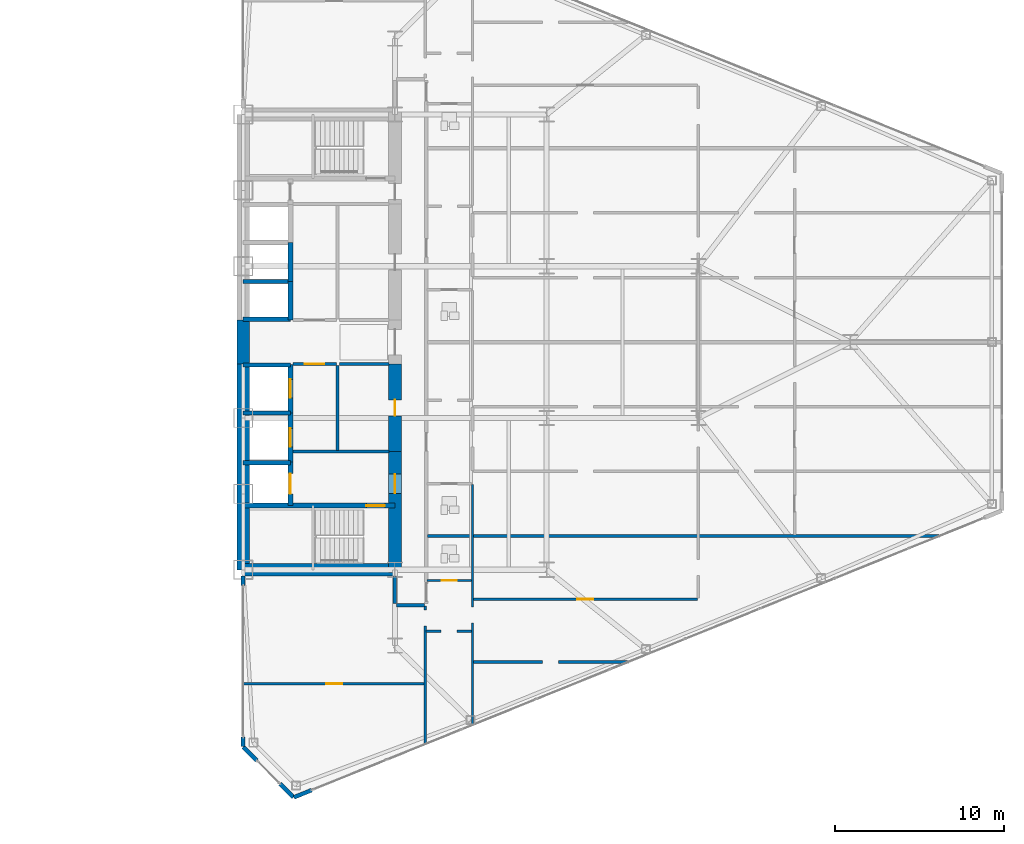
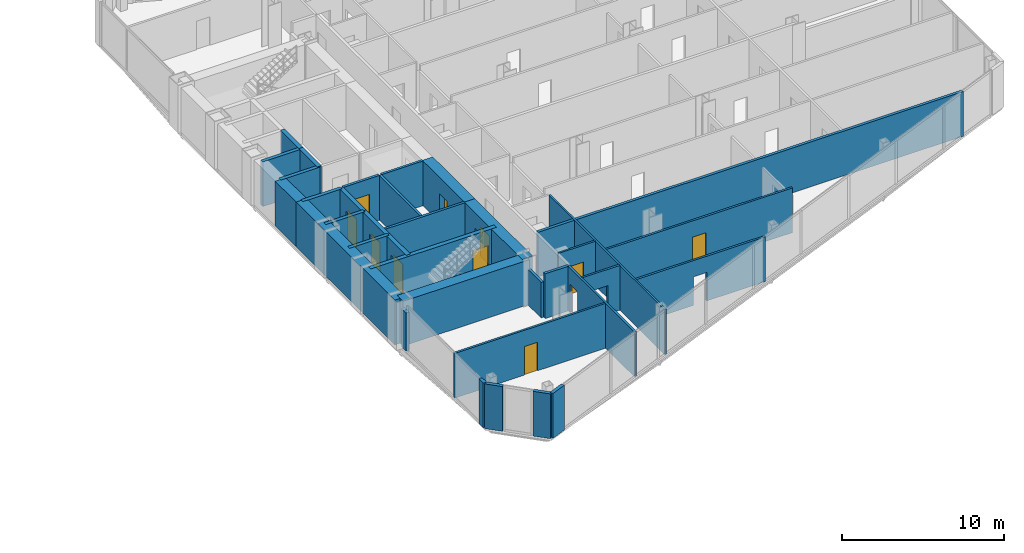
# One storey, part 20 of 25: 35 walls, 10 doors, 14 openings.
"""IFC4 building model written with IfcOpenShell, lengths in metres."""

from ifc_helpers import new_model, si_unit, direction, frame, frame_2d, origin, place, context, subcontext, project, spatial, rectangle, extrude, source, transform, mapped, material, layer, layer_set, type_object, type_shapes, element, fill, save


model = new_model("IFC4")

# Units and contexts
model_context = context("Model", 3, precision=1e-05, world=origin(), true_north=direction((0.0, 1.0)))
body_context = subcontext(model_context, "Body", "Model", "MODEL_VIEW")
ifc_project = project(units=[si_unit("LENGTHUNIT", "METRE"), si_unit("AREAUNIT", "SQUARE_METRE"), si_unit("VOLUMEUNIT", "CUBIC_METRE"), si_unit("PLANEANGLEUNIT", "RADIAN"), si_unit("MASSUNIT", "GRAM", prefix="KILO")], contexts=[model_context])

# Site, building, storey
site_placement = place(None, origin())
site = spatial("IfcSite", under=ifc_project, at=site_placement, CompositionType="ELEMENT")
building_placement = place(site_placement, origin())
building = spatial("IfcBuilding", under=site, at=building_placement, Name="Seokmaru Belvedere", CompositionType="ELEMENT")
storey_placement = place(building_placement, frame((0.0, 0.0, 40.5)))
storey = spatial("IfcBuildingStorey", under=building, at=storey_placement, Name="L10", CompositionType="ELEMENT", Elevation=40.5)

# Wall, opening, door
ifc_material_1 = material(Name="Fire-Rated Gypsum Shaftwall")
ifc_layer_1 = layer(ifc_material_1, 0.14990234375)
ifc_layer_set_1 = layer_set([ifc_layer_1], Name="Fire-Rated Gypsum Shaftwall")
wall_type_1 = type_object("IfcWallType", Name="Apartment Fire-Acoustic Room Partition 150", PredefinedType="PARTITIONING", material=ifc_layer_set_1)
wall_1_placement = place(storey_placement, frame((27.465087890625, -20.25, 0.0), z_axis=(0.0, 0.0, 1.0), x_axis=(1.0, 0.0, 0.0)))
wall_1 = element("IfcWall", 1, at=wall_1_placement, inside=storey, type_object=wall_type_1, Name="L10 Interior Partition 002", PredefinedType="PARTITIONING", context=body_context, shape_type="SweptSolid", body=[
    extrude(rectangle(XDim=10.784912109375, YDim=0.14990234375, at=frame_2d((5.392578125, 0.0))), origin(), (0.0, 0.0, 1.0), 3.3798828125),
])
opening_1_placement = place(wall_1_placement, frame((4.9599609375, 0.0, 0.0)))
opening_1 = element("IfcOpeningElement", 2, at=opening_1_placement, cuts=wall_1, Name="Opening D05", PredefinedType="OPENING", context=body_context, shape_type="SweptSolid", body=[
    extrude(rectangle(XDim=0.949951171875, YDim=2.14990234375, at=frame_2d((0.47509765625, 1.074951171875))), frame((0.0, 0.0849609375, 0.0), z_axis=(0.0, -1.0, 0.0), x_axis=(1.0, 0.0, 0.0)), (0.0, 0.0, 1.0), 0.169921875),
])
ifc_material_2 = material(Name="Engineered White Oak Timber", Category="wood")
door_type_1 = type_object("IfcDoorType", Name="Apartment Interior Fire-Rated Oak Door 950x2150", OperationType="NOTDEFINED", PredefinedType="DOOR", material=ifc_material_2)
shared_shape_1 = source(origin(), body_context, "Body", "SweptSolid", [
    extrude(rectangle(XDim=0.949951171875, YDim=2.14990234375, at=frame_2d((0.47509765625, 1.074951171875))), frame((0.0, 0.02490234375, 0.0), z_axis=(0.0, -1.0, 0.0), x_axis=(1.0, 0.0, 0.0)), (0.0, 0.0, 1.0), 0.050048828125),
])
type_shapes(door_type_1, [shared_shape_1])
door_1_placement = place(opening_1_placement, origin())
door_1 = element("IfcDoor", 3, at=door_1_placement, inside=storey, type_object=door_type_1, Name="L10 Interior Door 047", OperationType="SINGLE_SWING_LEFT", OverallHeight=2.14990234375, OverallWidth=0.949951171875, PredefinedType="DOOR", context=body_context, shape_type="MappedRepresentation", body=[
    mapped(shared_shape_1, transform((0.0, 0.0, 0.0), scale=1.0)),
])
fill(opening_1, door_1)

# Wall, opening
wall_2_placement = place(storey_placement, frame((41.14990234375, -18.969970703125, 0.0), z_axis=(0.0, 0.0, 1.0), x_axis=(1.0, 0.0, 0.0)))
wall_2 = element("IfcWall", 4, at=wall_2_placement, inside=storey, type_object=wall_type_1, Name="L10 Interior Partition 003", PredefinedType="PARTITIONING", context=body_context, shape_type="SweptSolid", body=[
    extrude(rectangle(XDim=9.216064453125, YDim=0.14990234375, at=frame_2d((4.60791015625, 0.0))), origin(), (0.0, 0.0, 1.0), 3.3798828125),
])
opening_2_placement = place(wall_2_placement, frame((4.0908203125, 0.0, 0.0)))
element("IfcOpeningElement", 5, at=opening_2_placement, cuts=wall_2, Name="L10 Cased Opening 045", PredefinedType="OPENING", context=body_context, shape_type="SweptSolid", body=[
    extrude(rectangle(XDim=0.949951171875, YDim=2.14990234375, at=frame_2d((0.47509765625, 1.074951171875))), frame((0.0, 0.0849609375, 0.0), z_axis=(0.0, -1.0, 0.0), x_axis=(1.0, 0.0, 0.0)), (0.0, 0.0, 1.0), 0.169921875),
])

wall_3_placement = place(storey_placement, frame((38.35009765625, -17.139892578125, 0.0), z_axis=(0.0, 0.0, 1.0), x_axis=(1.0, 0.0, 0.0)))
wall_3 = element("IfcWall", 6, at=wall_3_placement, inside=storey, type_object=wall_type_1, Name="L10 Interior Partition 005", PredefinedType="PARTITIONING", context=body_context, shape_type="SweptSolid", body=[
    extrude(rectangle(XDim=2.699951171875, YDim=0.14990234375, at=frame_2d((1.35009765625, 0.0))), origin(), (0.0, 0.0, 1.0), 3.3798828125),
])
opening_3_placement = place(wall_3_placement, frame((0.875, 0.0, 0.0)))
element("IfcOpeningElement", 7, at=opening_3_placement, cuts=wall_3, Name="L10 Cased Opening 042", PredefinedType="OPENING", context=body_context, shape_type="SweptSolid", body=[
    extrude(rectangle(XDim=0.949951171875, YDim=2.14990234375, at=frame_2d((0.47509765625, 1.074951171875))), frame((0.0, 0.0849609375, 0.0), z_axis=(0.0, -1.0, 0.0), x_axis=(1.0, 0.0, 0.0)), (0.0, 0.0, 1.0), 0.169921875),
])

# Wall, opening, door
wall_4_placement = place(storey_placement, frame((41.14990234375, -15.239990234375, 0.0), z_axis=(0.0, 0.0, 1.0), x_axis=(1.0, 0.0, 0.0)))
wall_4 = element("IfcWall", 8, at=wall_4_placement, inside=storey, type_object=wall_type_1, Name="L10 Interior Partition 009", PredefinedType="PARTITIONING", context=body_context, shape_type="SweptSolid", body=[
    extrude(rectangle(XDim=13.300048828125, YDim=0.14990234375, at=frame_2d((6.64990234375, 0.0))), origin(), (0.0, 0.0, 1.0), 3.3798828125),
])
opening_4_placement = place(wall_4_placement, frame((6.175048828125, 0.0, 0.0)))
opening_4 = element("IfcOpeningElement", 9, at=opening_4_placement, cuts=wall_4, Name="Opening D05", PredefinedType="OPENING", context=body_context, shape_type="SweptSolid", body=[
    extrude(rectangle(XDim=0.949951171875, YDim=2.14990234375, at=frame_2d((0.47509765625, 1.074951171875))), frame((0.0, 0.0849609375, 0.0), z_axis=(0.0, -1.0, 0.0), x_axis=(1.0, 0.0, 0.0)), (0.0, 0.0, 1.0), 0.169921875),
])
door_2_placement = place(opening_4_placement, origin())
door_2 = element("IfcDoor", 10, at=door_2_placement, inside=storey, type_object=door_type_1, Name="L10 Interior Door 046", OperationType="SINGLE_SWING_LEFT", OverallHeight=2.14990234375, OverallWidth=0.949951171875, PredefinedType="DOOR", context=body_context, shape_type="MappedRepresentation", body=[
    mapped(shared_shape_1, transform((0.0, 0.0, 0.0), scale=1.0)),
])
fill(opening_4, door_2)

# Wall, opening
wall_5_placement = place(storey_placement, frame((38.300048828125, -23.8779296875, 0.0), z_axis=(0.0, 0.0, 1.0), x_axis=(0.0, 1.0, 0.0)))
wall_5 = element("IfcWall", 11, at=wall_5_placement, inside=storey, type_object=wall_type_1, Name="L10 Interior Partition 059", PredefinedType="PARTITIONING", context=body_context, shape_type="SweptSolid", body=[
    extrude(rectangle(XDim=8.22802734375, YDim=0.14990234375, at=frame_2d((4.114013671875, 0.0))), origin(), (0.0, 0.0, 1.0), 3.3798828125),
])
opening_5_placement = place(wall_5_placement, frame((7.030517578125, 0.0, 0.0)))
element("IfcOpeningElement", 12, at=opening_5_placement, cuts=wall_5, Name="L10 Cased Opening 044", PredefinedType="OPENING", context=body_context, shape_type="SweptSolid", body=[
    extrude(rectangle(XDim=0.949951171875, YDim=2.14990234375, at=frame_2d((0.47509765625, 1.074951171875))), frame((0.0, 0.0849609375, 0.0), z_axis=(0.0, -1.0, 0.0), x_axis=(1.0, 0.0, 0.0)), (0.0, 0.0, 1.0), 0.169921875),
])

# Walls
ifc_layer_2 = layer(ifc_material_1, 0.179931640625)
ifc_layer_set_2 = layer_set([ifc_layer_2], Name="Fire-Rated Gypsum Shaftwall")
wall_type_2 = type_object("IfcWallType", Name="Core Service Fire Partition 180", PredefinedType="PARTITIONING", material=ifc_layer_set_2)
wall_6_placement = place(storey_placement, frame((30.449951171875, -6.5, 0.0), z_axis=(0.0, 0.0, 1.0), x_axis=(1.0, 0.0, 0.0)))
element("IfcWall", 13, at=wall_6_placement, inside=storey, type_object=wall_type_2, Name="L10 East Firefighting Lobby Partition", PredefinedType="PARTITIONING", context=body_context, shape_type="SweptSolid", body=[
    extrude(rectangle(XDim=5.699951171875, YDim=0.179931640625, at=frame_2d((2.85009765625, 0.0))), origin(), (0.0, 0.0, 1.0), 3.3798828125),
])
wall_7_placement = place(storey_placement, frame((33.10009765625, -6.419921875, 0.0), z_axis=(0.0, 0.0, 1.0), x_axis=(0.0, 1.0, 0.0)))
element("IfcWall", 14, at=wall_7_placement, inside=storey, type_object=wall_type_2, Name="L10 East South Core Service Back Wall", PredefinedType="PARTITIONING", context=body_context, shape_type="SweptSolid", body=[
    extrude(rectangle(XDim=5.0400390625, YDim=0.179931640625, at=frame_2d((2.52001953125, 0.0))), origin(), (0.0, 0.0, 1.0), 3.3798828125),
])

# Wall, opening, door
wall_8_placement = place(storey_placement, frame((30.449951171875, -1.300048828125, 0.0), z_axis=(0.0, 0.0, 1.0), x_axis=(1.0, 0.0, 0.0)))
wall_8 = element("IfcWall", 15, at=wall_8_placement, inside=storey, type_object=wall_type_2, Name="L10 East South Lift Lobby Foyer Wall", PredefinedType="PARTITIONING", context=body_context, shape_type="SweptSolid", body=[
    extrude(rectangle(XDim=2.570068359375, YDim=0.179931640625, at=frame_2d((1.28515625, 0.0))), origin(), (0.0, 0.0, 1.0), 3.3798828125),
])
opening_6_placement = place(wall_8_placement, frame((0.7099609375, 0.0, 0.0)))
opening_6 = element("IfcOpeningElement", 16, at=opening_6_placement, cuts=wall_8, Name="Opening D02", PredefinedType="OPENING", context=body_context, shape_type="SweptSolid", body=[
    extrude(rectangle(XDim=1.14990234375, YDim=2.199951171875, at=frame_2d((0.574951171875, 1.10009765625))), frame((0.0, 0.10009765625, 0.0), z_axis=(0.0, -1.0, 0.0), x_axis=(1.0, 0.0, 0.0)), (0.0, 0.0, 1.0), 0.199951171875),
])
ifc_material_3 = material(Name="Fire-Rated Steel Leaf", Category="steel")
door_type_2 = type_object("IfcDoorType", Name="Lobby and Vestibule Fire Door 1150x2200", OperationType="NOTDEFINED", PredefinedType="DOOR", material=ifc_material_3)
shared_shape_2 = source(origin(), body_context, "Body", "SweptSolid", [
    extrude(rectangle(XDim=1.14990234375, YDim=2.199951171875, at=frame_2d((0.574951171875, 1.10009765625))), frame((0.0, 0.02490234375, 0.0), z_axis=(0.0, -1.0, 0.0), x_axis=(1.0, 0.0, 0.0)), (0.0, 0.0, 1.0), 0.050048828125),
])
type_shapes(door_type_2, [shared_shape_2])
door_3_placement = place(opening_6_placement, origin())
door_3 = element("IfcDoor", 17, at=door_3_placement, inside=storey, type_object=door_type_2, Name="L10 East South Core Foyer Door", OperationType="SINGLE_SWING_RIGHT", OverallHeight=2.199951171875, OverallWidth=1.14990234375, PredefinedType="DOOR", context=body_context, shape_type="MappedRepresentation", body=[
    mapped(shared_shape_2, transform((0.0, 0.0, 0.0), scale=1.0)),
])
fill(opening_6, door_3)

# Walls
wall_9_placement = place(storey_placement, frame((33.199951171875, -1.300048828125, 0.0), z_axis=(0.0, 0.0, 1.0), x_axis=(1.0, 0.0, 0.0)))
element("IfcWall", 18, at=wall_9_placement, inside=storey, type_object=wall_type_2, Name="L10 East Foyer Side Wall S", PredefinedType="PARTITIONING", context=body_context, shape_type="SweptSolid", body=[
    extrude(rectangle(XDim=2.949951171875, YDim=0.179931640625, at=frame_2d((1.47509765625, 0.0))), origin(), (0.0, 0.0, 1.0), 3.3798828125),
])
ifc_material_4 = material(Name="Concrete C50 (50 MPa)", Category="concrete")
ifc_layer_3 = layer(ifc_material_4, 0.25)
ifc_layer_set_3 = layer_set([ifc_layer_3], Name="Concrete C50 (50 MPa)")
wall_type_3 = type_object("IfcWallType", Name="Hoistway Transverse Concrete Divider Wall 250", PredefinedType="SHEAR", material=ifc_layer_set_3)
for number, where, z_axis, x_axis, name in (
    (19, (27.5, -7.14990234375, 0.0), (0.0, 0.0, 1.0), (1.0, 0.0, 0.0), "L10 East Hoistway Divider Core Wall 1"),
    (20, (27.5, -4.199951171875, 0.0), (0.0, 0.0, 1.0), (1.0, 0.0, 0.0), "L10 East Hoistway Divider Core Wall 2"),
    (21, (27.5, -1.35009765625, 0.0), (0.0, 0.0, 1.0), (1.0, 0.0, 0.0), "L10 East Hoistway Divider Core Wall 3"),
    (22, (27.5, 1.35009765625, 0.0), (0.0, 0.0, 1.0), (1.0, 0.0, 0.0), "L10 East Hoistway Divider Core Wall 4"),
    (23, (27.5, 3.60009765625, 0.0), (0.0, 0.0, 1.0), (1.0, 0.0, 0.0), "L10 East Hoistway Divider Core Wall 5"),
):
    element("IfcWall", number, at=place(storey_placement, frame(where, z_axis=z_axis, x_axis=x_axis)), inside=storey, type_object=wall_type_3, Name=name, PredefinedType="SHEAR", context=body_context, shape_type="SweptSolid", body=[
        extrude(rectangle(XDim=2.800048828125, YDim=0.25, at=frame_2d((1.39990234375, 0.0))), origin(), (0.0, 0.0, 1.0), 3.3798828125),
    ])
ifc_layer_4 = layer(ifc_material_1, 0.199951171875)
ifc_layer_set_4 = layer_set([ifc_layer_4], Name="Fire-Rated Gypsum Shaftwall")
wall_type_4 = type_object("IfcWallType", Name="Inter-Tenancy Fire Compartment Partition 200", PredefinedType="PARTITIONING", material=ifc_layer_set_4)
wall_10_placement = place(storey_placement, frame((36.5849609375, -15.60009765625, 0.0), z_axis=(0.0, 0.0, 1.0), x_axis=(1.0, 0.0, 0.0)))
element("IfcWall", 24, at=wall_10_placement, inside=storey, type_object=wall_type_4, Name="L10 Interior Partition 008", PredefinedType="PARTITIONING", context=body_context, shape_type="SweptSolid", body=[
    extrude(rectangle(XDim=1.679931640625, YDim=0.199951171875, at=frame_2d((0.83984375, 0.0))), origin(), (0.0, 0.0, 1.0), 3.3798828125),
])
wall_11_placement = place(storey_placement, frame((38.429931640625, -11.5, 0.0), z_axis=(0.0, 0.0, 1.0), x_axis=(1.0, 0.0, 0.0)))
element("IfcWall", 25, at=wall_11_placement, inside=storey, type_object=wall_type_4, Name="L10 Interior Partition 013", PredefinedType="PARTITIONING", context=body_context, shape_type="SweptSolid", body=[
    extrude(rectangle(XDim=30.376953125, YDim=0.199951171875, at=frame_2d((15.1884765625, 0.0))), origin(), (0.0, 0.0, 1.0), 3.3798828125),
])
wall_12_placement = place(storey_placement, frame((36.5, -15.514892578125, 0.0), z_axis=(0.0, 0.0, 1.0), x_axis=(0.0, 1.0, 0.0)))
element("IfcWall", 26, at=wall_12_placement, inside=storey, type_object=wall_type_4, Name="L10 Interior Partition 057", PredefinedType="PARTITIONING", context=body_context, shape_type="SweptSolid", body=[
    extrude(rectangle(XDim=1.635009765625, YDim=0.199951171875, at=frame_2d((0.8173828125, 0.0))), origin(), (0.0, 0.0, 1.0), 2.679931640625),
])

# Wall, opening, door
ifc_layer_5 = layer(ifc_material_4, 0.300048828125)
ifc_layer_set_5 = layer_set([ifc_layer_5], Name="Concrete C50 (50 MPa)")
wall_type_5 = type_object("IfcWallType", Name="Internal Core Stair and Hoistway Wall 300", PredefinedType="SHEAR", material=ifc_layer_set_5)
wall_13_placement = place(storey_placement, frame((27.5, -9.699951171875, 0.0), z_axis=(0.0, 0.0, 1.0), x_axis=(1.0, 0.0, 0.0)))
wall_13 = element("IfcWall", 27, at=wall_13_placement, inside=storey, type_object=wall_type_5, Name="L10 East Stair ST-1 Enclosure Wall", PredefinedType="SHEAR", context=body_context, shape_type="SweptSolid", body=[
    extrude(rectangle(XDim=9.0, YDim=0.300048828125, at=frame_2d((4.5, 0.0))), origin(), (0.0, 0.0, 1.0), 3.3798828125),
])
opening_7_placement = place(wall_13_placement, frame((7.300048828125, 0.0, 0.0)))
opening_7 = element("IfcOpeningElement", 28, at=opening_7_placement, cuts=wall_13, Name="Opening D01", PredefinedType="OPENING", context=body_context, shape_type="SweptSolid", body=[
    extrude(rectangle(XDim=1.10009765625, YDim=2.199951171875, at=frame_2d((0.550048828125, 1.10009765625))), frame((0.0, 0.16015625, 0.0), z_axis=(0.0, -1.0, 0.0), x_axis=(1.0, 0.0, 0.0)), (0.0, 0.0, 1.0), 0.320068359375),
])
door_type_3 = type_object("IfcDoorType", Name="Special Escape Stair Smokeproof Fire Door 1100x2200", OperationType="NOTDEFINED", PredefinedType="DOOR", material=ifc_material_3)
shared_shape_3 = source(origin(), body_context, "Body", "SweptSolid", [
    extrude(rectangle(XDim=1.10009765625, YDim=2.199951171875, at=frame_2d((0.550048828125, 1.10009765625))), frame((0.0, 0.02490234375, 0.0), z_axis=(0.0, -1.0, 0.0), x_axis=(1.0, 0.0, 0.0)), (0.0, 0.0, 1.0), 0.050048828125),
])
type_shapes(door_type_3, [shared_shape_3])
door_4_placement = place(opening_7_placement, frame((1.10009765625, 0.0, 0.0), z_axis=(0.0, 0.0, 1.0), x_axis=(-1.0, 0.0, 0.0)))
door_4 = element("IfcDoor", 29, at=door_4_placement, inside=storey, type_object=door_type_3, Name="L10 East Special Escape Stair ST-1 Door", OperationType="SINGLE_SWING_RIGHT", OverallHeight=2.199951171875, OverallWidth=1.10009765625, PredefinedType="DOOR", context=body_context, shape_type="MappedRepresentation", body=[
    mapped(shared_shape_3, transform((0.0, 0.0, 0.0), scale=1.0)),
])
fill(opening_7, door_4)

wall_14_placement = place(storey_placement, frame((30.300048828125, -9.679931640625, 0.0), z_axis=(0.0, 0.0, 1.0), x_axis=(0.0, 1.0, 0.0)))
wall_14 = element("IfcWall", 30, at=wall_14_placement, inside=storey, type_object=wall_type_5, Name="L10 East Firefighting Lift Shaft Front Wall", PredefinedType="SHEAR", context=body_context, shape_type="SweptSolid", body=[
    extrude(rectangle(XDim=2.559814453125, YDim=0.300048828125, at=frame_2d((1.27978515625, 0.0))), origin(), (0.0, 0.0, 1.0), 3.3798828125),
])
opening_8_placement = place(wall_14_placement, frame((0.679931640625, 0.0, 0.0)))
opening_8 = element("IfcOpeningElement", 31, at=opening_8_placement, cuts=wall_14, Name="Opening LD2", PredefinedType="OPENING", context=body_context, shape_type="SweptSolid", body=[
    extrude(rectangle(XDim=1.199951171875, YDim=2.25, at=frame_2d((0.60009765625, 1.125))), frame((0.0, 0.16015625, 0.0), z_axis=(0.0, -1.0, 0.0), x_axis=(1.0, 0.0, 0.0)), (0.0, 0.0, 1.0), 0.320068359375),
])
ifc_material_5 = material(Name="Stainless Steel 316", Category="steel")
door_type_4 = type_object("IfcDoorType", Name="Firefighting Lift Sliding Landing Door 1200x2250", OperationType="DOUBLE_DOOR_SLIDING", PredefinedType="DOOR", material=ifc_material_5)
shared_shape_4 = source(origin(), body_context, "Body", "SweptSolid", [
    extrude(rectangle(XDim=1.199951171875, YDim=2.25, at=frame_2d((0.60009765625, 1.125))), frame((0.0, 0.02490234375, 0.0), z_axis=(0.0, -1.0, 0.0), x_axis=(1.0, 0.0, 0.0)), (0.0, 0.0, 1.0), 0.050048828125),
])
type_shapes(door_type_4, [shared_shape_4])
door_5_placement = place(opening_8_placement, origin())
door_5 = element("IfcDoor", 32, at=door_5_placement, inside=storey, type_object=door_type_4, Name="L10 East Firefighting Lift Landing Door", OperationType="DOUBLE_DOOR_SLIDING", OverallHeight=2.25, OverallWidth=1.199951171875, PredefinedType="DOOR", context=body_context, shape_type="MappedRepresentation", body=[
    mapped(shared_shape_4, transform((0.0, 0.0, 0.0), scale=1.0)),
])
fill(opening_8, door_5)

wall_15_placement = place(storey_placement, frame((30.300048828125, -7.1201171875, 0.0), z_axis=(0.0, 0.0, 1.0), x_axis=(0.0, 1.0, 0.0)))
wall_15 = element("IfcWall", 33, at=wall_15_placement, inside=storey, type_object=wall_type_5, Name="L10 East Low-Rise Lift PL-1 Front Wall", PredefinedType="SHEAR", context=body_context, shape_type="SweptSolid", body=[
    extrude(rectangle(XDim=2.920166015625, YDim=0.300048828125, at=frame_2d((1.4599609375, 0.0))), origin(), (0.0, 0.0, 1.0), 3.3798828125),
])
opening_9_placement = place(wall_15_placement, frame((0.909912109375, 0.0, 0.0)))
opening_9 = element("IfcOpeningElement", 34, at=opening_9_placement, cuts=wall_15, Name="Opening LD1", PredefinedType="OPENING", context=body_context, shape_type="SweptSolid", body=[
    extrude(rectangle(XDim=1.10009765625, YDim=2.199951171875, at=frame_2d((0.550048828125, 1.10009765625))), frame((0.0, 0.16015625, 0.0), z_axis=(0.0, -1.0, 0.0), x_axis=(1.0, 0.0, 0.0)), (0.0, 0.0, 1.0), 0.320068359375),
])
door_type_5 = type_object("IfcDoorType", Name="Passenger Lift Sliding Landing Door 1100x2200", OperationType="DOUBLE_DOOR_SLIDING", PredefinedType="DOOR", material=ifc_material_5)
shared_shape_5 = source(origin(), body_context, "Body", "SweptSolid", [
    extrude(rectangle(XDim=1.10009765625, YDim=2.199951171875, at=frame_2d((0.550048828125, 1.10009765625))), frame((0.0, 0.02490234375, 0.0), z_axis=(0.0, -1.0, 0.0), x_axis=(1.0, 0.0, 0.0)), (0.0, 0.0, 1.0), 0.050048828125),
])
type_shapes(door_type_5, [shared_shape_5])
door_6_placement = place(opening_9_placement, origin())
door_6 = element("IfcDoor", 35, at=door_6_placement, inside=storey, type_object=door_type_5, Name="L10 East Low-Rise Lift PL-1 Landing Door", OperationType="DOUBLE_DOOR_SLIDING", OverallHeight=2.199951171875, OverallWidth=1.10009765625, PredefinedType="DOOR", context=body_context, shape_type="MappedRepresentation", body=[
    mapped(shared_shape_5, transform((0.0, 0.0, 0.0), scale=1.0)),
])
fill(opening_9, door_6)

wall_16_placement = place(storey_placement, frame((30.300048828125, -4.199951171875, 0.0), z_axis=(0.0, 0.0, 1.0), x_axis=(0.0, 1.0, 0.0)))
wall_16 = element("IfcWall", 36, at=wall_16_placement, inside=storey, type_object=wall_type_5, Name="L10 East Low-Rise Lift PL-2 Front Wall", PredefinedType="SHEAR", context=body_context, shape_type="SweptSolid", body=[
    extrude(rectangle(XDim=2.8798828125, YDim=0.300048828125, at=frame_2d((1.43994140625, 0.0))), origin(), (0.0, 0.0, 1.0), 3.3798828125),
])
opening_10_placement = place(wall_16_placement, frame((0.889892578125, 0.0, 0.0)))
opening_10 = element("IfcOpeningElement", 37, at=opening_10_placement, cuts=wall_16, Name="Opening LD1", PredefinedType="OPENING", context=body_context, shape_type="SweptSolid", body=[
    extrude(rectangle(XDim=1.10009765625, YDim=2.199951171875, at=frame_2d((0.550048828125, 1.10009765625))), frame((0.0, 0.16015625, 0.0), z_axis=(0.0, -1.0, 0.0), x_axis=(1.0, 0.0, 0.0)), (0.0, 0.0, 1.0), 0.320068359375),
])
door_7_placement = place(opening_10_placement, origin())
door_7 = element("IfcDoor", 38, at=door_7_placement, inside=storey, type_object=door_type_5, Name="L10 East Low-Rise Lift PL-2 Landing Door", OperationType="DOUBLE_DOOR_SLIDING", OverallHeight=2.199951171875, OverallWidth=1.10009765625, PredefinedType="DOOR", context=body_context, shape_type="MappedRepresentation", body=[
    mapped(shared_shape_5, transform((0.0, 0.0, 0.0), scale=1.0)),
])
fill(opening_10, door_7)

# Walls
wall_17_placement = place(storey_placement, frame((30.300048828125, 1.320068359375, 0.0), z_axis=(0.0, 0.0, 1.0), x_axis=(0.0, 1.0, 0.0)))
element("IfcWall", 39, at=wall_17_placement, inside=storey, type_object=wall_type_5, Name="L10 East North Hoistway Wall PH1", PredefinedType="SHEAR", context=body_context, shape_type="SweptSolid", body=[
    extrude(rectangle(XDim=2.280029296875, YDim=0.300048828125, at=frame_2d((1.14013671875, 0.0))), origin(), (0.0, 0.0, 1.0), 3.3798828125),
])
wall_18_placement = place(storey_placement, frame((30.300048828125, 3.60009765625, 0.0), z_axis=(0.0, 0.0, 1.0), x_axis=(0.0, 1.0, 0.0)))
element("IfcWall", 40, at=wall_18_placement, inside=storey, type_object=wall_type_5, Name="L10 East North Hoistway Wall PH2", PredefinedType="SHEAR", context=body_context, shape_type="SweptSolid", body=[
    extrude(rectangle(XDim=2.2998046875, YDim=0.300048828125, at=frame_2d((1.14990234375, 0.0))), origin(), (0.0, 0.0, 1.0), 3.3798828125),
])
ifc_material_6 = material(Name="Concrete C60 (60 MPa)", Category="concrete")
ifc_layer_6 = layer(ifc_material_6, 0.75)
ifc_layer_set_6 = layer_set([ifc_layer_6], Name="Concrete C60 (60 MPa)")
wall_type_6 = type_object("IfcWallType", Name="Lower Tower Reinforced Concrete Core Wall 750", PredefinedType="SHEAR", material=ifc_layer_set_6)
wall_19_placement = place(storey_placement, frame((27.5, -13.5, 0.0), z_axis=(0.0, 0.0, 1.0), x_axis=(0.0, 1.0, 0.0)))
element("IfcWall", 41, at=wall_19_placement, inside=storey, type_object=wall_type_6, Name="L10 East Portal Spine Core Wall South", PredefinedType="SHEAR", context=body_context, shape_type="SweptSolid", body=[
    extrude(rectangle(XDim=12.199951171875, YDim=0.75, at=frame_2d((6.10009765625, 0.0))), origin(), (0.0, 0.0, 1.0), 3.3798828125),
])
wall_20_placement = place(storey_placement, frame((27.5, -1.300048828125, 0.0), z_axis=(0.0, 0.0, 1.0), x_axis=(0.0, 1.0, 0.0)))
element("IfcWall", 42, at=wall_20_placement, inside=storey, type_object=wall_type_6, Name="L10 East Portal Spine Core Wall Center", PredefinedType="SHEAR", context=body_context, shape_type="SweptSolid", body=[
    extrude(rectangle(XDim=2.60009765625, YDim=0.75, at=frame_2d((1.300048828125, 0.0))), origin(), (0.0, 0.0, 1.0), 3.3798828125),
])
wall_21_placement = place(storey_placement, frame((27.5, -13.5, 0.0), z_axis=(0.0, 0.0, 1.0), x_axis=(1.0, 0.0, 0.0)))
element("IfcWall", 43, at=wall_21_placement, inside=storey, type_object=wall_type_6, Name="L10 East South Core Wall", PredefinedType="SHEAR", context=body_context, shape_type="SweptSolid", body=[
    extrude(rectangle(XDim=9.0, YDim=0.75, at=frame_2d((4.5, 0.0))), origin(), (0.0, 0.0, 1.0), 3.3798828125),
])

# Wall, opening, door
wall_22_placement = place(storey_placement, frame((36.5, -13.64990234375, 0.0), z_axis=(0.0, 0.0, 1.0), x_axis=(0.0, 1.0, 0.0)))
wall_22 = element("IfcWall", 44, at=wall_22_placement, inside=storey, type_object=wall_type_6, Name="L10 East West Core Wall FF", PredefinedType="SHEAR", context=body_context, shape_type="SweptSolid", body=[
    extrude(rectangle(XDim=7.14990234375, YDim=0.75, at=frame_2d((3.574951171875, 0.0))), origin(), (0.0, 0.0, 1.0), 3.3798828125),
])
opening_11_placement = place(wall_22_placement, frame((4.675048828125, 0.0, 0.0)))
opening_11 = element("IfcOpeningElement", 45, at=opening_11_placement, cuts=wall_22, Name="Opening D02", PredefinedType="OPENING", context=body_context, shape_type="SweptSolid", body=[
    extrude(rectangle(XDim=1.14990234375, YDim=2.199951171875, at=frame_2d((0.574951171875, 1.10009765625))), frame((0.0, 0.385009765625, 0.0), z_axis=(0.0, -1.0, 0.0), x_axis=(1.0, 0.0, 0.0)), (0.0, 0.0, 1.0), 0.77001953125),
])
door_8_placement = place(opening_11_placement, origin())
door_8 = element("IfcDoor", 46, at=door_8_placement, inside=storey, type_object=door_type_2, Name="L10 East Firefighting Lobby Door", OperationType="SINGLE_SWING_RIGHT", OverallHeight=2.199951171875, OverallWidth=1.14990234375, PredefinedType="DOOR", context=body_context, shape_type="MappedRepresentation", body=[
    mapped(shared_shape_2, transform((0.0, 0.0, 0.0), scale=1.0)),
])
fill(opening_11, door_8)

wall_23_placement = place(storey_placement, frame((36.5, -6.5, 0.0), z_axis=(0.0, 0.0, 1.0), x_axis=(0.0, 1.0, 0.0)))
wall_23 = element("IfcWall", 47, at=wall_23_placement, inside=storey, type_object=wall_type_6, Name="L10 East West Core Wall CS1", PredefinedType="SHEAR", context=body_context, shape_type="SweptSolid", body=[
    extrude(rectangle(XDim=5.199951171875, YDim=0.75, at=frame_2d((2.60009765625, 0.0))), origin(), (0.0, 0.0, 1.0), 3.3798828125),
])
opening_12_placement = place(wall_23_placement, frame((2.125, 0.0, 0.0)))
opening_12 = element("IfcOpeningElement", 48, at=opening_12_placement, cuts=wall_23, Name="Opening D04", PredefinedType="OPENING", context=body_context, shape_type="SweptSolid", body=[
    extrude(rectangle(XDim=0.949951171875, YDim=2.14990234375, at=frame_2d((0.47509765625, 1.074951171875))), frame((0.0, 0.385009765625, 0.0), z_axis=(0.0, -1.0, 0.0), x_axis=(1.0, 0.0, 0.0)), (0.0, 0.0, 1.0), 0.77001953125),
])
door_type_6 = type_object("IfcDoorType", Name="Core Service Room Fire Door 950x2150", OperationType="NOTDEFINED", PredefinedType="DOOR", material=ifc_material_3)
shared_shape_6 = source(origin(), body_context, "Body", "SweptSolid", [
    extrude(rectangle(XDim=0.949951171875, YDim=2.14990234375, at=frame_2d((0.47509765625, 1.074951171875))), frame((0.0, 0.02490234375, 0.0), z_axis=(0.0, -1.0, 0.0), x_axis=(1.0, 0.0, 0.0)), (0.0, 0.0, 1.0), 0.050048828125),
])
type_shapes(door_type_6, [shared_shape_6])
door_9_placement = place(opening_12_placement, origin())
door_9 = element("IfcDoor", 49, at=door_9_placement, inside=storey, type_object=door_type_6, Name="L10 East Core Service Room Door 1", OperationType="SINGLE_SWING_RIGHT", OverallHeight=2.14990234375, OverallWidth=0.949951171875, PredefinedType="DOOR", context=body_context, shape_type="MappedRepresentation", body=[
    mapped(shared_shape_6, transform((0.0, 0.0, 0.0), scale=1.0)),
])
fill(opening_12, door_9)

ifc_layer_7 = layer(ifc_material_1, 0.1298828125)
ifc_layer_set_7 = layer_set([ifc_layer_7], Name="Fire-Rated Gypsum Shaftwall")
wall_type_7 = type_object("IfcWallType", Name="Moisture-Resistant Fire-Rated Bathroom Partition 130", PredefinedType="PARTITIONING", material=ifc_layer_set_7)
wall_24_placement = place(storey_placement, frame((38.39990234375, -14.139892578125, 0.0), z_axis=(0.0, 0.0, 1.0), x_axis=(1.0, 0.0, 0.0)))
wall_24 = element("IfcWall", 50, at=wall_24_placement, inside=storey, type_object=wall_type_7, Name="L10 Interior Partition 011", PredefinedType="PARTITIONING", context=body_context, shape_type="SweptSolid", body=[
    extrude(rectangle(XDim=2.650146484375, YDim=0.1298828125, at=frame_2d((1.3251953125, 0.0))), origin(), (0.0, 0.0, 1.0), 3.3798828125),
])
opening_13_placement = place(wall_24_placement, frame((0.885009765625, 0.0, 0.0)))
opening_13 = element("IfcOpeningElement", 51, at=opening_13_placement, cuts=wall_24, Name="Opening D06", PredefinedType="OPENING", context=body_context, shape_type="SweptSolid", body=[
    extrude(rectangle(XDim=0.8798828125, YDim=2.10009765625, at=frame_2d((0.43994140625, 1.050048828125))), frame((0.0, 0.074951171875, 0.0), z_axis=(0.0, -1.0, 0.0), x_axis=(1.0, 0.0, 0.0)), (0.0, 0.0, 1.0), 0.14990234375),
])
door_type_7 = type_object("IfcDoorType", Name="Bathroom and Restroom Fire-Rated Door 880x2100", OperationType="NOTDEFINED", PredefinedType="DOOR", material=ifc_material_2)
shared_shape_7 = source(origin(), body_context, "Body", "SweptSolid", [
    extrude(rectangle(XDim=0.8798828125, YDim=2.10009765625, at=frame_2d((0.43994140625, 1.050048828125))), frame((0.0, 0.02490234375, 0.0), z_axis=(0.0, -1.0, 0.0), x_axis=(1.0, 0.0, 0.0)), (0.0, 0.0, 1.0), 0.050048828125),
])
type_shapes(door_type_7, [shared_shape_7])
door_10_placement = place(opening_13_placement, origin())
door_10 = element("IfcDoor", 52, at=door_10_placement, inside=storey, type_object=door_type_7, Name="L10 Interior Door 041", OperationType="SINGLE_SWING_RIGHT", OverallHeight=2.10009765625, OverallWidth=0.8798828125, PredefinedType="DOOR", context=body_context, shape_type="MappedRepresentation", body=[
    mapped(shared_shape_7, transform((0.0, 0.0, 0.0), scale=1.0)),
])
fill(opening_13, door_10)

# Wall, opening
wall_25_placement = place(storey_placement, frame((41.10009765625, -22.743896484375, 0.0), z_axis=(0.0, 0.0, 1.0), x_axis=(0.0, 1.0, 0.0)))
wall_25 = element("IfcWall", 53, at=wall_25_placement, inside=storey, type_object=wall_type_7, Name="L10 Interior Partition 062", PredefinedType="PARTITIONING", context=body_context, shape_type="SweptSolid", body=[
    extrude(rectangle(XDim=14.296875, YDim=0.1298828125, at=frame_2d((7.1484375, 0.0))), origin(), (0.0, 0.0, 1.0), 3.3798828125),
])
opening_14_placement = place(wall_25_placement, frame((6.078125, 0.0, 0.0)))
element("IfcOpeningElement", 54, at=opening_14_placement, cuts=wall_25, Name="L10 Cased Opening 043", PredefinedType="OPENING", context=body_context, shape_type="SweptSolid", body=[
    extrude(rectangle(XDim=0.949951171875, YDim=2.14990234375, at=frame_2d((0.47509765625, 1.074951171875))), frame((0.0, 0.074951171875, 0.0), z_axis=(0.0, -1.0, 0.0), x_axis=(1.0, 0.0, 0.0)), (0.0, 0.0, 1.0), 0.14990234375),
])

# Walls
ifc_material_7 = material(Name="Anodised Bronze Aluminium", Category="aluminium")
ifc_layer_8 = layer(ifc_material_7, 0.239990234375)
ifc_layer_set_8 = layer_set([ifc_layer_8], Name="Anodised Bronze Aluminium")
wall_type_8 = type_object("IfcWallType", Name="Tower Corner Spandrel Closure Wall 240", PredefinedType="SOLIDWALL", material=ifc_layer_set_8)
wall_26_placement = place(storey_placement, frame((30.50927734375, -26.99609375, 0.0), z_axis=(0.0, 0.0, 1.0), x_axis=(0.927007103665, 0.375043770452, 0.0)))
element("IfcWall", 55, at=wall_26_placement, inside=storey, type_object=wall_type_8, Name="L10 E Corner Closure Pier 1A", PredefinedType="SOLIDWALL", context=body_context, shape_type="SweptSolid", body=[
    extrude(rectangle(XDim=1.139892578125, YDim=0.239990234375, at=frame_2d((0.56982421875, 0.0))), origin(), (0.0, 0.0, 1.0), 3.3798828125),
])
wall_27_placement = place(storey_placement, frame((27.5, -23.97998046875, 0.0), z_axis=(0.0, 0.0, 1.0), x_axis=(0.0, 1.0, 0.0)))
element("IfcWall", 56, at=wall_27_placement, inside=storey, type_object=wall_type_8, Name="L10 E Spine Closure Pier 1A", PredefinedType="SOLIDWALL", context=body_context, shape_type="SweptSolid", body=[
    extrude(rectangle(XDim=0.550048828125, YDim=0.239990234375, at=frame_2d((0.27490234375, 0.0))), origin(), (0.0, 0.0, 1.0), 3.3798828125),
])
wall_28_placement = place(storey_placement, frame((27.5, -14.429931640625, 0.0), z_axis=(0.0, 0.0, 1.0), x_axis=(0.0, 1.0, 0.0)))
element("IfcWall", 57, at=wall_28_placement, inside=storey, type_object=wall_type_8, Name="L10 E Spine Closure Pier 1B", PredefinedType="SOLIDWALL", context=body_context, shape_type="SweptSolid", body=[
    extrude(rectangle(XDim=0.550048828125, YDim=0.239990234375, at=frame_2d((0.27490234375, 0.0))), origin(), (0.0, 0.0, 1.0), 2.8798828125),
])
for number, where, z_axis, x_axis, name in (
    (58, (27.507080078125, -24.007080078125, 0.0), (0.0, 0.0, 1.0), (0.707106781187, -0.707106781187, 0.0), "L10 E Corner Closure Pier 6A"),
    (59, (29.686767578125, -26.186767578125, 0.0), (0.0, 0.0, 1.0), (0.707106781187, -0.707106781187, 0.0), "L10 E Corner Closure Pier 6B"),
):
    element("IfcWall", number, at=place(storey_placement, frame(where, z_axis=z_axis, x_axis=x_axis)), inside=storey, type_object=wall_type_8, Name=name, PredefinedType="SOLIDWALL", context=body_context, shape_type="SweptSolid", body=[
        extrude(rectangle(XDim=1.14013671875, YDim=0.239990234375, at=frame_2d((0.570068359375, 0.0))), origin(), (0.0, 0.0, 1.0), 3.3798828125),
    ])

save(model, "model.ifc")
